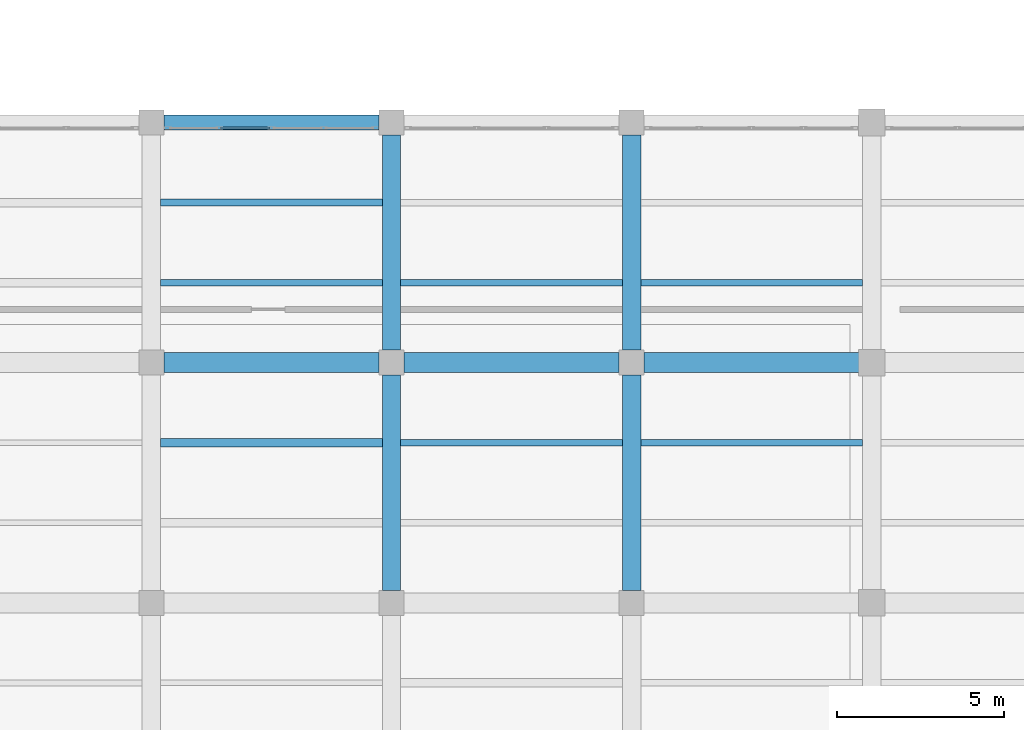
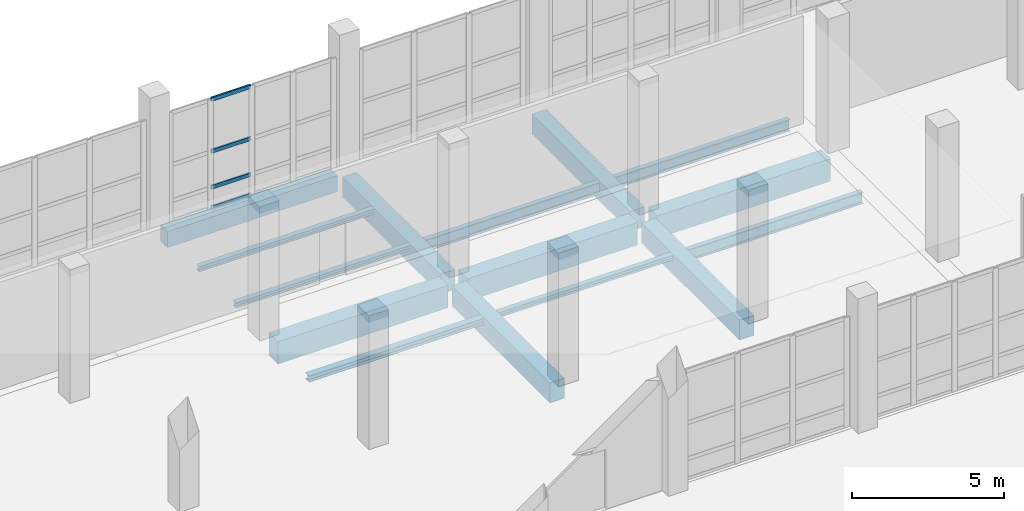
# One storey, part 39 of 137: 15 beams, 4 members, 1 element without a shape of its own.
"""IFC4 building model written with IfcOpenShell, lengths in metres."""

from ifc_helpers import new_model, si_unit, direction, frame, origin, origin_2d, place, context, subcontext, project, spatial, rectangle, hollow_rectangle, i_section, extrude, material, material_profile, profile_set, type_object, element, aggregate, save


model = new_model("IFC4")

# Units and contexts
model_context = context("Model", 3, precision=1e-05, world=origin(), true_north=direction((0.0, 1.0)))
body_context = subcontext(model_context, "Body", "Model", "MODEL_VIEW")
ifc_project = project(units=[si_unit("LENGTHUNIT", "METRE"), si_unit("AREAUNIT", "SQUARE_METRE"), si_unit("VOLUMEUNIT", "CUBIC_METRE"), si_unit("PLANEANGLEUNIT", "RADIAN"), si_unit("MASSUNIT", "GRAM", prefix="KILO")], contexts=[model_context])

# Site, building, storey
site_placement = place(None, origin())
site = spatial("IfcSite", under=ifc_project, at=site_placement, CompositionType="ELEMENT")
building_placement = place(site_placement, origin())
building = spatial("IfcBuilding", under=site, at=building_placement, Name="Kalmorath City Hall", CompositionType="ELEMENT")
storey_placement = place(building_placement, origin())
storey = spatial("IfcBuildingStorey", under=building, at=storey_placement, Name="L00", CompositionType="ELEMENT", Elevation=0.0)

# Beams
ifc_material_1 = material(Name="Concrete C40/50", Category="concrete")
ifc_material_profile_1 = material_profile(ifc_material_1, rectangle(XDim=0.550048828125, YDim=0.800048828125, at=origin_2d()), Name="RC-BM-550X800")
ifc_profile_set_1 = profile_set([ifc_material_profile_1], Name="Concrete C40/50")
beam_type_1 = type_object("IfcBeamType", Name="Concrete floor girder 550x800", PredefinedType="BEAM", material=ifc_profile_set_1)
for number, where, z_axis, x_axis, name in (
    (1, (100.800048828125, 29.175048828125, -0.7041015625), (0.0, 1.0, 0.0), (-1.0, 0.0, 0.0), "L00 girder CB2 Y15/5-6"),
    (2, (100.800048828125, 36.375, -0.7041015625), (0.0, 1.0, 0.0), (-1.0, 0.0, 0.0), "L00 girder CB2 Y15/6-7"),
    (3, (108.0, 29.175048828125, -0.7041015625), (0.0, 1.0, 0.0), (-1.0, 0.0, 0.0), "L00 girder CB2 Y16/5-6"),
    (4, (108.0, 36.375, -0.7041015625), (0.0, 1.0, 0.0), (-1.0, 0.0, 0.0), "L00 girder CB2 Y16/6-7"),
):
    element("IfcBeam", number, at=place(storey_placement, frame(where, z_axis=z_axis, x_axis=x_axis)), inside=storey, type_object=beam_type_1, Name=name, PredefinedType="BEAM", context=body_context, shape_type="SweptSolid", body=[
        extrude(rectangle(XDim=0.550048828125, YDim=0.800048828125, at=origin_2d()), origin(), (0.0, 0.0, 1.0), 6.449951171875),
    ])
ifc_material_2 = material(Name="Concrete C40/50", Category="concrete")
ifc_material_profile_2 = material_profile(ifc_material_2, rectangle(XDim=0.60009765625, YDim=0.89990234375, at=origin_2d()), Name="RC-BM-600X900")
ifc_profile_set_2 = profile_set([ifc_material_profile_2], Name="Concrete C40/50")
beam_type_2 = type_object("IfcBeamType", Name="Concrete floor girder 600x900", PredefinedType="BEAM", material=ifc_profile_set_2)
for number, where, z_axis, x_axis, name in (
    (5, (93.97509765625, 36.0, -0.75390625), (1.0, 0.0, 0.0), (0.0, 1.0, 0.0), "L00 girder CB1 X14-15/6"),
    (6, (101.175048828125, 36.0, -0.75390625), (1.0, 0.0, 0.0), (0.0, 1.0, 0.0), "L00 girder CB1 X15-16/6"),
):
    element("IfcBeam", number, at=place(storey_placement, frame(where, z_axis=z_axis, x_axis=x_axis)), inside=storey, type_object=beam_type_2, Name=name, PredefinedType="BEAM", context=body_context, shape_type="SweptSolid", body=[
        extrude(rectangle(XDim=0.60009765625, YDim=0.89990234375, at=origin_2d()), origin(), (0.0, 0.0, 1.0), 6.449951171875),
    ])
beam_1_placement = place(storey_placement, frame((108.375, 36.0, -0.75390625), z_axis=(1.0, 0.0, 0.0), x_axis=(0.0, 1.0, 0.0)))
element("IfcBeam", 7, at=beam_1_placement, inside=storey, type_object=beam_type_2, Name="L00 girder CB1 X16-17/6", PredefinedType="BEAM", context=body_context, shape_type="SweptSolid", body=[
    extrude(rectangle(XDim=0.60009765625, YDim=0.89990234375, at=origin_2d()), origin(), (0.0, 0.0, 1.0), 6.574951171875),
])
ifc_material_3 = material(Name="Concrete C40/50", Category="concrete")
ifc_material_profile_3 = material_profile(ifc_material_3, rectangle(XDim=0.449951171875, YDim=0.64990234375, at=origin_2d()), Name="RC-BM-450X650")
ifc_profile_set_3 = profile_set([ifc_material_profile_3], Name="Concrete C40/50")
beam_type_3 = type_object("IfcBeamType", Name="Concrete spandrel beam 450x650", PredefinedType="SPANDREL", material=ifc_profile_set_3)
beam_2_placement = place(storey_placement, frame((93.97509765625, 43.199951171875, -0.62890625), z_axis=(1.0, 0.0, 0.0), x_axis=(0.0, 1.0, 0.0)))
element("IfcBeam", 8, at=beam_2_placement, inside=storey, type_object=beam_type_3, Name="L00 girder CB5 X14-15/7", PredefinedType="SPANDREL", context=body_context, shape_type="SweptSolid", body=[
    extrude(rectangle(XDim=0.449951171875, YDim=0.64990234375, at=origin_2d()), origin(), (0.0, 0.0, 1.0), 6.449951171875),
])

# Curtain wall, members
ifc_material_4 = material(Name="Anodised aluminium and laminated glass", Category="aluminium")
curtain_wall_type = type_object("IfcCurtainWallType", Name="Unitised hurricane curtain wall 6270x4411 M1500", PredefinedType="NOTDEFINED", material=ifc_material_4)
curtain_wall_placement = place(storey_placement, origin())
curtain_wall = element("IfcCurtainWall", 9, at=curtain_wall_placement, inside=storey, type_object=curtain_wall_type, Name="L00 curtain wall CW-63X44M15 #36", PredefinedType="NOTDEFINED")
ifc_material_5 = material(Name="Anodised aluminium framing", Category="aluminium")
ifc_material_profile_4 = material_profile(ifc_material_5, hollow_rectangle(XDim=0.06494140625, YDim=0.159912109375, WallThickness=0.00390625, InnerFilletRadius=0.00390625, OuterFilletRadius=0.008056640625, at=origin_2d()), Name="ALU-TRN-160X65X4")
ifc_profile_set_4 = profile_set([ifc_material_profile_4], Name="Anodised aluminium framing")
member_type = type_object("IfcMemberType", Name="Curtain-wall primary transom 160x65", PredefinedType="USERDEFINED", material=ifc_profile_set_4)
member_1_placement = place(storey_placement, frame((95.669921875, 43.0400390625, 0.032470703125), z_axis=(1.0, 0.0, 0.0), x_axis=(0.0, 1.0, 0.0)))
member_1 = element("IfcMember", 10, at=member_1_placement, type_object=member_type, Name="CW-63X44M15 transom 2.1", ObjectType="TRANSOM", PredefinedType="USERDEFINED", context=body_context, shape_type="SweptSolid", body=[
    extrude(hollow_rectangle(XDim=0.06494140625, YDim=0.159912109375, WallThickness=0.00390625, InnerFilletRadius=0.00390625, OuterFilletRadius=0.008056640625, at=origin_2d()), origin(), (0.0, 0.0, 1.0), 1.49267578125),
])
member_2_placement = place(storey_placement, frame((95.669921875, 43.0400390625, 0.85009765625), z_axis=(1.0, 0.0, 0.0), x_axis=(0.0, 1.0, 0.0)))
member_2 = element("IfcMember", 11, at=member_2_placement, type_object=member_type, Name="CW-63X44M15 transom 2.2", ObjectType="TRANSOM", PredefinedType="USERDEFINED", context=body_context, shape_type="SweptSolid", body=[
    extrude(hollow_rectangle(XDim=0.06494140625, YDim=0.159912109375, WallThickness=0.00390625, InnerFilletRadius=0.00390625, OuterFilletRadius=0.008056640625, at=origin_2d()), origin(), (0.0, 0.0, 1.0), 1.49267578125),
])
member_3_placement = place(storey_placement, frame((95.669921875, 43.0400390625, 2.2939453125), z_axis=(1.0, 0.0, 0.0), x_axis=(0.0, 1.0, 0.0)))
member_3 = element("IfcMember", 12, at=member_3_placement, type_object=member_type, Name="CW-63X44M15 transom 2.3", ObjectType="TRANSOM", PredefinedType="USERDEFINED", context=body_context, shape_type="SweptSolid", body=[
    extrude(hollow_rectangle(XDim=0.06494140625, YDim=0.159912109375, WallThickness=0.00390625, InnerFilletRadius=0.00390625, OuterFilletRadius=0.008056640625, at=origin_2d()), origin(), (0.0, 0.0, 1.0), 1.49267578125),
])
member_4_placement = place(storey_placement, frame((95.669921875, 43.0400390625, 4.37841796875), z_axis=(1.0, 0.0, 0.0), x_axis=(0.0, 1.0, 0.0)))
member_4 = element("IfcMember", 13, at=member_4_placement, type_object=member_type, Name="CW-63X44M15 transom 2.4", ObjectType="TRANSOM", PredefinedType="USERDEFINED", context=body_context, shape_type="SweptSolid", body=[
    extrude(hollow_rectangle(XDim=0.06494140625, YDim=0.159912109375, WallThickness=0.00390625, InnerFilletRadius=0.00390625, OuterFilletRadius=0.008056640625, at=origin_2d()), origin(), (0.0, 0.0, 1.0), 1.49267578125),
])
aggregate(curtain_wall, [member_1, member_2, member_3, member_4])

# Beams
ifc_material_6 = material(Name="Steel ASTM A992 Grade 50", Category="steel")
ifc_material_profile_5 = material_profile(ifc_material_6, i_section(OverallWidth=0.19091796875, OverallDepth=0.4599609375, WebThickness=0.010009765625, FlangeThickness=0.01611328125, FilletRadius=0.013916015625, at=origin_2d()), Name="W18X55")
ifc_profile_set_5 = profile_set([ifc_material_profile_5], Name="Steel ASTM A992 Grade 50")
beam_type_4 = type_object("IfcBeamType", Name="Steel composite joist W18X55", PredefinedType="JOIST", material=ifc_profile_set_5)
beam_3_placement = place(storey_placement, frame((108.27490234375, 38.39990234375, -0.533935546875), z_axis=(1.0, 0.0, 0.0), x_axis=(0.0, 1.0, 0.0)))
element("IfcBeam", 14, at=beam_3_placement, inside=storey, type_object=beam_type_4, Name="L00 joist SJ2 16.6.1", PredefinedType="JOIST", context=body_context, shape_type="SweptSolid", body=[
    extrude(i_section(OverallWidth=0.19091796875, OverallDepth=0.4599609375, WebThickness=0.010009765625, FlangeThickness=0.01611328125, FilletRadius=0.013916015625, at=origin_2d()), origin(), (0.0, 0.0, 1.0), 6.650146484375),
])
ifc_material_7 = material(Name="Steel ASTM A992 Grade 50", Category="steel")
ifc_material_profile_6 = material_profile(ifc_material_7, i_section(OverallWidth=0.193115234375, OverallDepth=0.466064453125, WebThickness=0.011474609375, FlangeThickness=0.01904296875, FilletRadius=0.013916015625, at=origin_2d()), Name="W18X65")
ifc_profile_set_6 = profile_set([ifc_material_profile_6], Name="Steel ASTM A992 Grade 50")
beam_type_5 = type_object("IfcBeamType", Name="Steel composite joist W18X65", PredefinedType="JOIST", material=ifc_profile_set_6)
for number, where, z_axis, x_axis, name in (
    (15, (101.074951171875, 38.39990234375, -0.537109375), (1.0, 0.0, 0.0), (0.0, 1.0, 0.0), "L00 joist SJ1 15.6.1"),
    (16, (108.27490234375, 33.60009765625, -0.537109375), (1.0, 0.0, 0.0), (0.0, 1.0, 0.0), "L00 joist SJ1 16.5.2"),
):
    element("IfcBeam", number, at=place(storey_placement, frame(where, z_axis=z_axis, x_axis=x_axis)), inside=storey, type_object=beam_type_5, Name=name, PredefinedType="JOIST", context=body_context, shape_type="SweptSolid", body=[
        extrude(i_section(OverallWidth=0.193115234375, OverallDepth=0.466064453125, WebThickness=0.011474609375, FlangeThickness=0.01904296875, FilletRadius=0.013916015625, at=origin_2d()), origin(), (0.0, 0.0, 1.0), 6.650146484375),
    ])
ifc_material_8 = material(Name="Steel ASTM A992 Grade 50", Category="steel")
ifc_material_profile_7 = material_profile(ifc_material_8, i_section(OverallWidth=0.202880859375, OverallDepth=0.202880859375, WebThickness=0.007080078125, FlangeThickness=0.010986328125, FilletRadius=0.010986328125, at=origin_2d()), Name="W8X31")
ifc_profile_set_7 = profile_set([ifc_material_profile_7], Name="Steel ASTM A992 Grade 50")
beam_type_6 = type_object("IfcBeamType", Name="Steel edge trimmer W8X31", PredefinedType="LINTEL", material=ifc_profile_set_7)
for number, where, z_axis, x_axis, name in (
    (17, (93.875, 38.39990234375, -0.405517578125), (1.0, 0.0, 0.0), (0.0, 1.0, 0.0), "L00 joist SJ16 14.6.1"),
    (18, (93.875, 40.800048828125, -0.405517578125), (1.0, 0.0, 0.0), (0.0, 1.0, 0.0), "L00 joist SJ16 14.6.2"),
):
    element("IfcBeam", number, at=place(storey_placement, frame(where, z_axis=z_axis, x_axis=x_axis)), inside=storey, type_object=beam_type_6, Name=name, PredefinedType="LINTEL", context=body_context, shape_type="SweptSolid", body=[
        extrude(i_section(OverallWidth=0.202880859375, OverallDepth=0.202880859375, WebThickness=0.007080078125, FlangeThickness=0.010986328125, FilletRadius=0.010986328125, at=origin_2d()), origin(), (0.0, 0.0, 1.0), 6.64990234375),
    ])
beam_4_placement = place(storey_placement, frame((101.074951171875, 33.60009765625, -0.405517578125), z_axis=(1.0, 0.0, 0.0), x_axis=(0.0, 1.0, 0.0)))
element("IfcBeam", 19, at=beam_4_placement, inside=storey, type_object=beam_type_6, Name="L00 joist SJ16 15.5.2", PredefinedType="LINTEL", context=body_context, shape_type="SweptSolid", body=[
    extrude(i_section(OverallWidth=0.202880859375, OverallDepth=0.202880859375, WebThickness=0.007080078125, FlangeThickness=0.010986328125, FilletRadius=0.010986328125, at=origin_2d()), origin(), (0.0, 0.0, 1.0), 6.650146484375),
])
ifc_material_9 = material(Name="Steel ASTM A992 Grade 50", Category="steel")
ifc_material_profile_8 = material_profile(ifc_material_9, i_section(OverallWidth=0.25390625, OverallDepth=0.2529296875, WebThickness=0.008544921875, FlangeThickness=0.01416015625, FilletRadius=0.011962890625, at=origin_2d()), Name="W10X49")
ifc_profile_set_8 = profile_set([ifc_material_profile_8], Name="Steel ASTM A992 Grade 50")
beam_type_7 = type_object("IfcBeamType", Name="Steel trimmer beam W10X49", PredefinedType="BEAM", material=ifc_profile_set_8)
beam_5_placement = place(storey_placement, frame((93.875, 33.60009765625, -0.430419921875), z_axis=(1.0, 0.0, 0.0), x_axis=(0.0, 1.0, 0.0)))
element("IfcBeam", 20, at=beam_5_placement, inside=storey, type_object=beam_type_7, Name="L00 joist SJ14 14.5.2", PredefinedType="BEAM", context=body_context, shape_type="SweptSolid", body=[
    extrude(i_section(OverallWidth=0.25390625, OverallDepth=0.2529296875, WebThickness=0.008544921875, FlangeThickness=0.01416015625, FilletRadius=0.011962890625, at=origin_2d()), origin(), (0.0, 0.0, 1.0), 6.64990234375),
])

save(model, "model.ifc")
